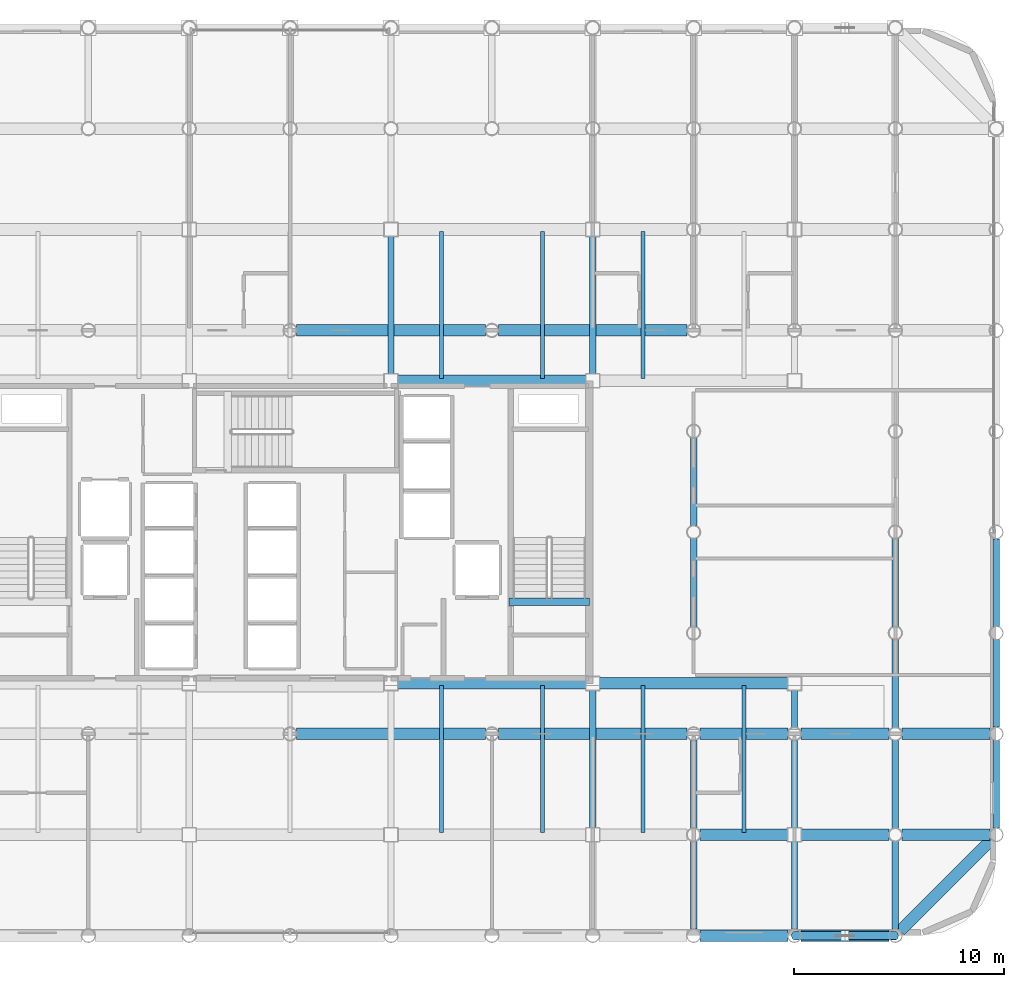
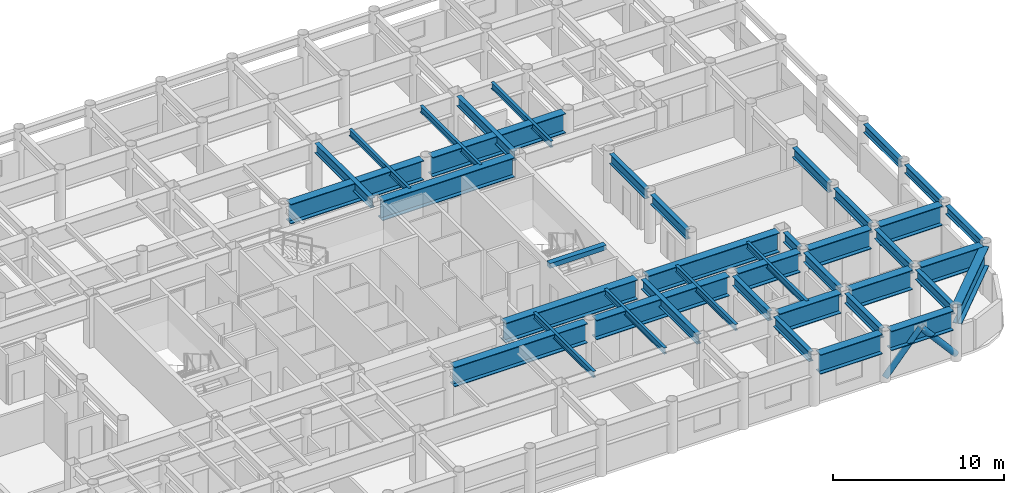
# One storey, part 8 of 22: 41 beams, 2 members.
"""IFC4 building model written with IfcOpenShell, lengths in metres."""

from ifc_helpers import new_model, si_unit, direction, frame, origin, origin_2d, place, context, subcontext, project, spatial, rectangle, hollow_circle, i_section, extrude, material, material_profile, profile_set, type_object, element, save


model = new_model("IFC4")

# Units and contexts
model_context = context("Model", 3, precision=1e-05, world=origin(), true_north=direction((0.0, 1.0)))
body_context = subcontext(model_context, "Body", "Model", "MODEL_VIEW")
ifc_project = project(units=[si_unit("LENGTHUNIT", "METRE"), si_unit("AREAUNIT", "SQUARE_METRE"), si_unit("VOLUMEUNIT", "CUBIC_METRE"), si_unit("PLANEANGLEUNIT", "RADIAN"), si_unit("MASSUNIT", "GRAM", prefix="KILO")], contexts=[model_context])

# Site, building, storey
site_placement = place(None, origin())
site = spatial("IfcSite", under=ifc_project, at=site_placement, CompositionType="ELEMENT")
building_placement = place(site_placement, origin())
building = spatial("IfcBuilding", under=site, at=building_placement, Name="Kallvorn Hotel Tower", CompositionType="ELEMENT")
storey_placement = place(building_placement, frame((0.0, 0.0, 95.199951171875)))
storey = spatial("IfcBuildingStorey", under=building, at=storey_placement, Name="L22", CompositionType="ELEMENT", Elevation=95.199951171875)

# Beams
ifc_material_1 = material(Name="Structural steel S355JR", Category="steel")
ifc_material_profile_1 = material_profile(ifc_material_1, i_section(OverallWidth=0.300048828125, OverallDepth=0.60009765625, WebThickness=0.015380859375, FlangeThickness=0.030029296875, at=origin_2d()), Name="HE 600 B")
ifc_profile_set_1 = profile_set([ifc_material_profile_1], Name="Structural steel S355JR")
beam_type_1 = type_object("IfcBeamType", Name="BM_HE600B", PredefinedType="SPANDREL", material=ifc_profile_set_1)
beam_1_placement = place(storey_placement, frame((33.60009765625, -14.080078125, 3.219970703125), z_axis=(0.0, 1.0, 0.0), x_axis=(-1.0, 0.0, 0.0)))
element("IfcBeam", 1, at=beam_1_placement, inside=storey, type_object=beam_type_1, Name="L23 Perimeter Spandrel 182", PredefinedType="SPANDREL", context=body_context, shape_type="SweptSolid", body=[
    extrude(i_section(OverallWidth=0.300048828125, OverallDepth=0.60009765625, WebThickness=0.015380859375, FlangeThickness=0.030029296875, at=origin_2d()), origin(), (0.0, 0.0, 1.0), 4.16015625),
])
for number, where, z_axis, x_axis, name in (
    (2, (33.60009765625, -9.280029296875, 3.219970703125), (0.0, 1.0, 0.0), (-1.0, 0.0, 0.0), "L23 Perimeter Spandrel 183"),
    (3, (33.60009765625, -4.47998046875, 3.219970703125), (0.0, 1.0, 0.0), (-1.0, 0.0, 0.0), "L23 Perimeter Spandrel 184"),
):
    element("IfcBeam", number, at=place(storey_placement, frame(where, z_axis=z_axis, x_axis=x_axis)), inside=storey, type_object=beam_type_1, Name=name, PredefinedType="SPANDREL", context=body_context, shape_type="SweptSolid", body=[
        extrude(i_section(OverallWidth=0.300048828125, OverallDepth=0.60009765625, WebThickness=0.015380859375, FlangeThickness=0.030029296875, at=origin_2d()), origin(), (0.0, 0.0, 1.0), 4.159912109375),
    ])
ifc_material_2 = material(Name="Structural steel S355JR", Category="steel")
ifc_material_profile_2 = material_profile(ifc_material_2, i_section(OverallWidth=0.300048828125, OverallDepth=0.699951171875, WebThickness=0.01708984375, FlangeThickness=0.031982421875, at=origin_2d()), Name="HE 700 B")
ifc_profile_set_2 = profile_set([ifc_material_profile_2], Name="Structural steel S355JR")
beam_type_2 = type_object("IfcBeamType", Name="BM_HE700B", PredefinedType="BEAM", material=ifc_profile_set_2)
for number, where, z_axis, x_axis, name in (
    (4, (4.800048828125, 7.52490234375, 3.170166015625), (0.0, 1.0, 0.0), (-1.0, 0.0, 0.0), "L23 Primary Y-Girder 115"),
    (5, (14.39990234375, -14.074951171875, 3.170166015625), (0.0, 1.0, 0.0), (-1.0, 0.0, 0.0), "L23 Primary Y-Girder 122"),
    (6, (14.39990234375, 7.52490234375, 3.170166015625), (0.0, 1.0, 0.0), (-1.0, 0.0, 0.0), "L23 Primary Y-Girder 123"),
):
    element("IfcBeam", number, at=place(storey_placement, frame(where, z_axis=z_axis, x_axis=x_axis)), inside=storey, type_object=beam_type_2, Name=name, PredefinedType="BEAM", context=body_context, shape_type="SweptSolid", body=[
        extrude(i_section(OverallWidth=0.300048828125, OverallDepth=0.699951171875, WebThickness=0.01708984375, FlangeThickness=0.031982421875, at=origin_2d()), origin(), (0.0, 0.0, 1.0), 6.550048828125),
    ])
for number, where, z_axis, x_axis, name in (
    (7, (19.199951171875, -18.89501953125, 3.170166015625), (0.0, 1.0, 0.0), (-1.0, 0.0, 0.0), "L23 Primary Y-Girder 126"),
    (8, (19.199951171875, -14.094970703125, 3.170166015625), (0.0, 1.0, 0.0), (-1.0, 0.0, 0.0), "L23 Primary Y-Girder 127"),
):
    element("IfcBeam", number, at=place(storey_placement, frame(where, z_axis=z_axis, x_axis=x_axis)), inside=storey, type_object=beam_type_2, Name=name, PredefinedType="BEAM", context=body_context, shape_type="SweptSolid", body=[
        extrude(i_section(OverallWidth=0.300048828125, OverallDepth=0.699951171875, WebThickness=0.01708984375, FlangeThickness=0.031982421875, at=origin_2d()), origin(), (0.0, 0.0, 1.0), 4.18994140625),
    ])
for number, where, z_axis, x_axis, name in (
    (9, (19.199951171875, -4.4951171875, 3.170166015625), (0.0, 1.0, 0.0), (-1.0, 0.0, 0.0), "L23 Primary Y-Girder 129"),
    (10, (19.199951171875, 0.304931640625, 3.170166015625), (0.0, 1.0, 0.0), (-1.0, 0.0, 0.0), "L23 Primary Y-Girder 130"),
):
    element("IfcBeam", number, at=place(storey_placement, frame(where, z_axis=z_axis, x_axis=x_axis)), inside=storey, type_object=beam_type_2, Name=name, PredefinedType="BEAM", context=body_context, shape_type="SweptSolid", body=[
        extrude(i_section(OverallWidth=0.300048828125, OverallDepth=0.699951171875, WebThickness=0.01708984375, FlangeThickness=0.031982421875, at=origin_2d()), origin(), (0.0, 0.0, 1.0), 4.190185546875),
    ])
for number, where, z_axis, x_axis, name in (
    (11, (24.0, -18.89501953125, 3.170166015625), (0.0, 1.0, 0.0), (-1.0, 0.0, 0.0), "L23 Primary Y-Girder 135"),
    (12, (24.0, -14.074951171875, 3.170166015625), (0.0, 1.0, 0.0), (-1.0, 0.0, 0.0), "L23 Primary Y-Girder 136"),
):
    element("IfcBeam", number, at=place(storey_placement, frame(where, z_axis=z_axis, x_axis=x_axis)), inside=storey, type_object=beam_type_2, Name=name, PredefinedType="BEAM", context=body_context, shape_type="SweptSolid", body=[
        extrude(i_section(OverallWidth=0.300048828125, OverallDepth=0.699951171875, WebThickness=0.01708984375, FlangeThickness=0.031982421875, at=origin_2d()), origin(), (0.0, 0.0, 1.0), 4.169921875),
    ])
beam_2_placement = place(storey_placement, frame((24.0, -9.294921875, 3.170166015625), z_axis=(0.0, 1.0, 0.0), x_axis=(-1.0, 0.0, 0.0)))
element("IfcBeam", 13, at=beam_2_placement, inside=storey, type_object=beam_type_2, Name="L23 Primary Y-Girder 137", PredefinedType="BEAM", context=body_context, shape_type="SweptSolid", body=[
    extrude(i_section(OverallWidth=0.300048828125, OverallDepth=0.699951171875, WebThickness=0.01708984375, FlangeThickness=0.031982421875, at=origin_2d()), origin(), (0.0, 0.0, 1.0), 1.77001953125),
])
for number, where, z_axis, x_axis, name in (
    (14, (28.800048828125, -18.89501953125, 3.170166015625), (0.0, 1.0, 0.0), (-1.0, 0.0, 0.0), "L23 Primary Y-Girder 142"),
    (15, (28.800048828125, -14.094970703125, 3.170166015625), (0.0, 1.0, 0.0), (-1.0, 0.0, 0.0), "L23 Primary Y-Girder 143"),
    (16, (28.800048828125, -9.294921875, 3.170166015625), (0.0, 1.0, 0.0), (-1.0, 0.0, 0.0), "L23 Primary Y-Girder 144"),
):
    element("IfcBeam", number, at=place(storey_placement, frame(where, z_axis=z_axis, x_axis=x_axis)), inside=storey, type_object=beam_type_2, Name=name, PredefinedType="BEAM", context=body_context, shape_type="SweptSolid", body=[
        extrude(i_section(OverallWidth=0.300048828125, OverallDepth=0.699951171875, WebThickness=0.01708984375, FlangeThickness=0.031982421875, at=origin_2d()), origin(), (0.0, 0.0, 1.0), 4.18994140625),
    ])
beam_3_placement = place(storey_placement, frame((28.800048828125, -4.4951171875, 3.170166015625), z_axis=(0.0, 1.0, 0.0), x_axis=(-1.0, 0.0, 0.0)))
element("IfcBeam", 17, at=beam_3_placement, inside=storey, type_object=beam_type_2, Name="L23 Primary Y-Girder 145", PredefinedType="BEAM", context=body_context, shape_type="SweptSolid", body=[
    extrude(i_section(OverallWidth=0.300048828125, OverallDepth=0.699951171875, WebThickness=0.01708984375, FlangeThickness=0.031982421875, at=origin_2d()), origin(), (0.0, 0.0, 1.0), 4.190185546875),
])
ifc_material_3 = material(Name="Structural steel S355JR", Category="steel")
ifc_material_profile_3 = material_profile(ifc_material_3, i_section(OverallWidth=0.18994140625, OverallDepth=0.449951171875, WebThickness=0.009521484375, FlangeThickness=0.0146484375, at=origin_2d()), Name="IPE 450")
ifc_profile_set_3 = profile_set([ifc_material_profile_3], Name="Structural steel S355JR")
beam_type_3 = type_object("IfcBeamType", Name="BM_IPE450", PredefinedType="JOIST", material=ifc_profile_set_3)
for number, where, z_axis, x_axis, name in (
    (18, (7.199951171875, -14.300048828125, 3.295166015625), (0.0, 1.0, 0.0), (-1.0, 0.0, 0.0), "L23 Secondary Composite Joist 202"),
    (19, (7.199951171875, 7.300048828125, 3.295166015625), (0.0, 1.0, 0.0), (-1.0, 0.0, 0.0), "L23 Secondary Composite Joist 203"),
    (20, (12.0, -14.300048828125, 3.295166015625), (0.0, 1.0, 0.0), (-1.0, 0.0, 0.0), "L23 Secondary Composite Joist 204"),
    (21, (12.0, 7.300048828125, 3.295166015625), (0.0, 1.0, 0.0), (-1.0, 0.0, 0.0), "L23 Secondary Composite Joist 205"),
    (22, (16.800048828125, -14.300048828125, 3.295166015625), (0.0, 1.0, 0.0), (-1.0, 0.0, 0.0), "L23 Secondary Composite Joist 206"),
    (23, (16.800048828125, 7.300048828125, 3.295166015625), (0.0, 1.0, 0.0), (-1.0, 0.0, 0.0), "L23 Secondary Composite Joist 207"),
    (24, (21.60009765625, -14.300048828125, 3.295166015625), (0.0, 1.0, 0.0), (-1.0, 0.0, 0.0), "L23 Secondary Composite Joist 208"),
):
    element("IfcBeam", number, at=place(storey_placement, frame(where, z_axis=z_axis, x_axis=x_axis)), inside=storey, type_object=beam_type_3, Name=name, PredefinedType="JOIST", context=body_context, shape_type="SweptSolid", body=[
        extrude(i_section(OverallWidth=0.18994140625, OverallDepth=0.449951171875, WebThickness=0.009521484375, FlangeThickness=0.0146484375, at=origin_2d()), origin(), (0.0, 0.0, 1.0), 7.0),
    ])
ifc_material_4 = material(Name="Structural steel S355JR", Category="steel")
ifc_material_profile_4 = material_profile(ifc_material_4, i_section(OverallWidth=0.550048828125, OverallDepth=1.39990234375, WebThickness=0.02490234375, FlangeThickness=0.044921875, at=origin_2d()), Name="PG 1400x550x25x45")
ifc_profile_set_4 = profile_set([ifc_material_profile_4], Name="Structural steel S355JR")
beam_type_4 = type_object("IfcBeamType", Name="BM_PG_1400", PredefinedType="BEAM", material=ifc_profile_set_4)
for number, where, z_axis, x_axis, name in (
    (25, (19.5048828125, -19.199951171875, 2.820068359375), (1.0, 0.0, 0.0), (0.0, 1.0, 0.0), "L23 Primary X-Girder 11"),
    (26, (24.304931640625, -19.199951171875, 2.820068359375), (1.0, 0.0, 0.0), (0.0, 1.0, 0.0), "L23 Primary X-Girder 12"),
):
    element("IfcBeam", number, at=place(storey_placement, frame(where, z_axis=z_axis, x_axis=x_axis)), inside=storey, type_object=beam_type_4, Name=name, PredefinedType="BEAM", context=body_context, shape_type="SweptSolid", body=[
        extrude(i_section(OverallWidth=0.550048828125, OverallDepth=1.39990234375, WebThickness=0.02490234375, FlangeThickness=0.044921875, at=origin_2d()), origin(), (0.0, 0.0, 1.0), 4.190185546875),
    ])
for number, where, z_axis, x_axis, name in (
    (27, (19.5048828125, -14.39990234375, 2.820068359375), (1.0, 0.0, 0.0), (0.0, 1.0, 0.0), "L23 Primary X-Girder 20"),
    (28, (24.324951171875, -14.39990234375, 2.820068359375), (1.0, 0.0, 0.0), (0.0, 1.0, 0.0), "L23 Primary X-Girder 21"),
):
    element("IfcBeam", number, at=place(storey_placement, frame(where, z_axis=z_axis, x_axis=x_axis)), inside=storey, type_object=beam_type_4, Name=name, PredefinedType="BEAM", context=body_context, shape_type="SweptSolid", body=[
        extrude(i_section(OverallWidth=0.550048828125, OverallDepth=1.39990234375, WebThickness=0.02490234375, FlangeThickness=0.044921875, at=origin_2d()), origin(), (0.0, 0.0, 1.0), 4.170166015625),
    ])
beam_4_placement = place(storey_placement, frame((29.10498046875, -14.39990234375, 2.820068359375), z_axis=(1.0, 0.0, 0.0), x_axis=(0.0, 1.0, 0.0)))
element("IfcBeam", 29, at=beam_4_placement, inside=storey, type_object=beam_type_4, Name="L23 Primary X-Girder 22", PredefinedType="BEAM", context=body_context, shape_type="SweptSolid", body=[
    extrude(i_section(OverallWidth=0.550048828125, OverallDepth=1.39990234375, WebThickness=0.02490234375, FlangeThickness=0.044921875, at=origin_2d()), origin(), (0.0, 0.0, 1.0), 4.18994140625),
])
for number, where, z_axis, x_axis, name in (
    (30, (0.304931640625, -9.60009765625, 2.820068359375), (1.0, 0.0, 0.0), (0.0, 1.0, 0.0), "L23 Primary X-Girder 27"),
    (31, (9.905029296875, -9.60009765625, 2.820068359375), (1.0, 0.0, 0.0), (0.0, 1.0, 0.0), "L23 Primary X-Girder 28"),
):
    element("IfcBeam", number, at=place(storey_placement, frame(where, z_axis=z_axis, x_axis=x_axis)), inside=storey, type_object=beam_type_4, Name=name, PredefinedType="BEAM", context=body_context, shape_type="SweptSolid", body=[
        extrude(i_section(OverallWidth=0.550048828125, OverallDepth=1.39990234375, WebThickness=0.02490234375, FlangeThickness=0.044921875, at=origin_2d()), origin(), (0.0, 0.0, 1.0), 8.989990234375),
    ])
for number, where, z_axis, x_axis, name in (
    (32, (19.5048828125, -9.60009765625, 2.820068359375), (1.0, 0.0, 0.0), (0.0, 1.0, 0.0), "L23 Primary X-Girder 29"),
    (33, (24.304931640625, -9.60009765625, 2.820068359375), (1.0, 0.0, 0.0), (0.0, 1.0, 0.0), "L23 Primary X-Girder 30"),
):
    element("IfcBeam", number, at=place(storey_placement, frame(where, z_axis=z_axis, x_axis=x_axis)), inside=storey, type_object=beam_type_4, Name=name, PredefinedType="BEAM", context=body_context, shape_type="SweptSolid", body=[
        extrude(i_section(OverallWidth=0.550048828125, OverallDepth=1.39990234375, WebThickness=0.02490234375, FlangeThickness=0.044921875, at=origin_2d()), origin(), (0.0, 0.0, 1.0), 4.190185546875),
    ])
beam_5_placement = place(storey_placement, frame((29.10498046875, -9.60009765625, 2.820068359375), z_axis=(1.0, 0.0, 0.0), x_axis=(0.0, 1.0, 0.0)))
element("IfcBeam", 34, at=beam_5_placement, inside=storey, type_object=beam_type_4, Name="L23 Primary X-Girder 31", PredefinedType="BEAM", context=body_context, shape_type="SweptSolid", body=[
    extrude(i_section(OverallWidth=0.550048828125, OverallDepth=1.39990234375, WebThickness=0.02490234375, FlangeThickness=0.044921875, at=origin_2d()), origin(), (0.0, 0.0, 1.0), 4.18994140625),
])
for number, where, z_axis, x_axis, name in (
    (35, (5.125, -7.199951171875, 2.820068359375), (1.0, 0.0, 0.0), (0.0, 1.0, 0.0), "L23 Primary X-Girder 34"),
    (36, (14.72509765625, -7.199951171875, 2.820068359375), (1.0, 0.0, 0.0), (0.0, 1.0, 0.0), "L23 Primary X-Girder 35"),
    (37, (5.125, 7.199951171875, 2.820068359375), (1.0, 0.0, 0.0), (0.0, 1.0, 0.0), "L23 Primary X-Girder 39"),
):
    element("IfcBeam", number, at=place(storey_placement, frame(where, z_axis=z_axis, x_axis=x_axis)), inside=storey, type_object=beam_type_4, Name=name, PredefinedType="BEAM", context=body_context, shape_type="SweptSolid", body=[
        extrude(i_section(OverallWidth=0.550048828125, OverallDepth=1.39990234375, WebThickness=0.02490234375, FlangeThickness=0.044921875, at=origin_2d()), origin(), (0.0, 0.0, 1.0), 8.949951171875),
    ])
for number, where, z_axis, x_axis, name in (
    (38, (0.304931640625, 9.60009765625, 2.820068359375), (1.0, 0.0, 0.0), (0.0, 1.0, 0.0), "L23 Primary X-Girder 45"),
    (39, (9.905029296875, 9.60009765625, 2.820068359375), (1.0, 0.0, 0.0), (0.0, 1.0, 0.0), "L23 Primary X-Girder 46"),
):
    element("IfcBeam", number, at=place(storey_placement, frame(where, z_axis=z_axis, x_axis=x_axis)), inside=storey, type_object=beam_type_4, Name=name, PredefinedType="BEAM", context=body_context, shape_type="SweptSolid", body=[
        extrude(i_section(OverallWidth=0.550048828125, OverallDepth=1.39990234375, WebThickness=0.02490234375, FlangeThickness=0.044921875, at=origin_2d()), origin(), (0.0, 0.0, 1.0), 8.989990234375),
    ])
beam_6_placement = place(storey_placement, frame((33.373779296875, -14.626220703125, 2.820068359375), z_axis=(-0.707106781187, -0.707106781187, 0.0), x_axis=(0.707106781187, -0.707106781187, 0.0)))
element("IfcBeam", 40, at=beam_6_placement, inside=storey, type_object=beam_type_4, Name="L23 Rounded Corner Tie Beam 190", PredefinedType="BEAM", context=body_context, shape_type="SweptSolid", body=[
    extrude(i_section(OverallWidth=0.550048828125, OverallDepth=1.39990234375, WebThickness=0.02490234375, FlangeThickness=0.044921875, at=origin_2d()), origin(), (0.0, 0.0, 1.0), 6.148193359375),
])
ifc_material_5 = material(Name="Concrete C50/60", Category="concrete")
ifc_material_profile_5 = material_profile(ifc_material_5, rectangle(XDim=0.360107421875, YDim=0.340087890625, at=origin_2d()), Name="RC 360x340")
ifc_profile_set_5 = profile_set([ifc_material_profile_5], Name="Concrete C50/60")
beam_type_5 = type_object("IfcBeamType", Name="BM_RC_400x360", PredefinedType="BEAM", material=ifc_profile_set_5)
beam_7_placement = place(storey_placement, frame((14.239990234375, -3.31005859375, 3.35009765625), z_axis=(-1.0, 0.0, 0.0), x_axis=(0.0, -1.0, 0.0)))
element("IfcBeam", 41, at=beam_7_placement, inside=storey, type_object=beam_type_5, Name="L23 Stair ST2 Arrival Trimmer Beam", PredefinedType="BEAM", context=body_context, shape_type="SweptSolid", body=[
    extrude(rectangle(XDim=0.360107421875, YDim=0.340087890625, at=origin_2d()), origin(), (0.0, 0.0, 1.0), 3.820068359375),
])

# Members
ifc_material_6 = material(Name="Structural steel S355J2H", Category="steel")
ifc_material_profile_6 = material_profile(ifc_material_6, hollow_circle(Radius=0.203125, WallThickness=0.01611328125, at=origin_2d()), Name="CHS 406.4x16")
ifc_profile_set_6 = profile_set([ifc_material_profile_6], Name="Structural steel S355J2H")
member_type = type_object("IfcMemberType", Name="MBR_EXO_CHS406", PredefinedType="BRACE", material=ifc_profile_set_6)
for number, where, z_axis, x_axis, name in (
    (42, (24.01318359375, -19.199951171875, 0.195068359375), (0.653427382465, 0.0, 0.756989204576), (0.0, 1.0, 0.0), "L22 Exoskeleton K-Brace S2A"),
    (43, (28.786865234375, -19.199951171875, 0.195068359375), (-0.653427382465, 0.0, 0.756989204576), (0.0, -1.0, 0.0), "L22 Exoskeleton K-Brace S2B"),
):
    element("IfcMember", number, at=place(storey_placement, frame(where, z_axis=z_axis, x_axis=x_axis)), inside=storey, type_object=member_type, Name=name, PredefinedType="BRACE", context=body_context, shape_type="SweptSolid", body=[
        extrude(hollow_circle(Radius=0.203125, WallThickness=0.01611328125, at=origin_2d()), origin(), (0.0, 0.0, 1.0), 3.6328125),
    ])

save(model, "model.ifc")
